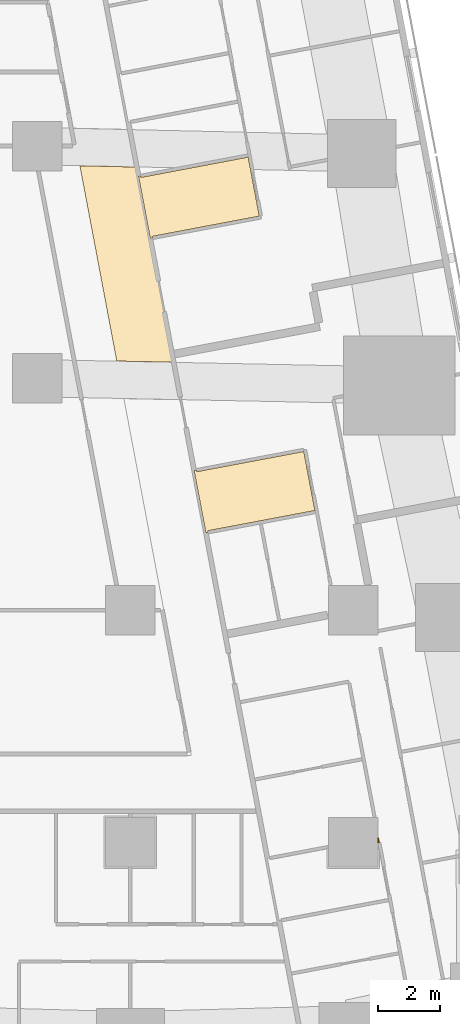
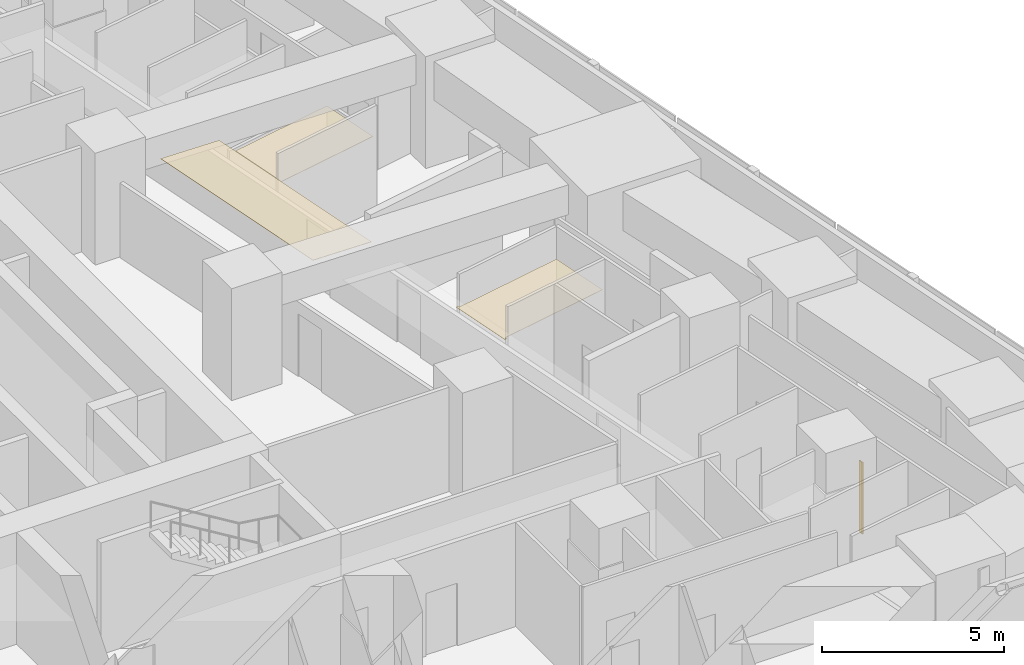
# One storey, part 16 of 17: 4 coverings.
"""IFC4 building model written with IfcOpenShell, lengths in metres."""

from ifc_helpers import new_model, si_unit, direction, frame, origin, place, context, subcontext, project, spatial, polyline, outline, extrude, material, layer, layer_set, type_object, element, save


model = new_model("IFC4")

# Units and contexts
model_context = context("Model", 3, precision=1e-05, world=origin(), true_north=direction((0.0, 1.0)))
body_context = subcontext(model_context, "Body", "Model", "MODEL_VIEW")
ifc_project = project(units=[si_unit("LENGTHUNIT", "METRE"), si_unit("AREAUNIT", "SQUARE_METRE"), si_unit("VOLUMEUNIT", "CUBIC_METRE"), si_unit("PLANEANGLEUNIT", "RADIAN"), si_unit("MASSUNIT", "GRAM", prefix="KILO")], contexts=[model_context])

# Site, building, storey
site_placement = place(None, origin())
site = spatial("IfcSite", under=ifc_project, at=site_placement, CompositionType="ELEMENT")
building_placement = place(site_placement, origin())
building = spatial("IfcBuilding", under=site, at=building_placement, Name="Sheger Commons Tower", CompositionType="ELEMENT")
storey_placement = place(building_placement, frame((0.0, 0.0, 115.39990234375)))
storey = spatial("IfcBuildingStorey", under=building, at=storey_placement, Name="L29", CompositionType="ELEMENT", Elevation=115.39990234375)

# Coverings
ifc_material_1 = material(Name="Moisture-resistant gypsum plasterboard 15 mm on a suspended galvanised steel grid", Category="steel")
ifc_layer_1 = layer(ifc_material_1, 0.014892578125)
ifc_layer_set_1 = layer_set([ifc_layer_1], Name="MOISTURE-RESISTANT CEILING 15")
covering_type_1 = type_object("IfcCoveringType", Name="MOISTURE-RESISTANT CEILING 15", PredefinedType="CEILING", material=ifc_layer_set_1)
covering_1_placement = place(storey_placement, frame((0.0, 0.0, 2.400146484375)))
element("IfcCovering", 1, at=covering_1_placement, inside=storey, type_object=covering_type_1, Name="L29-07.B1 ceiling", PredefinedType="CEILING", context=body_context, shape_type="SweptSolid", body=[
    extrude(outline(polyline([(36.64697265625, 27.014892578125), (36.715087890625, 27.028076171875), (36.705078125, 27.08203125), (40.1689453125, 27.737060546875), (39.80908203125, 29.64306640625), (36.344970703125, 28.988037109375), (36.3349609375, 29.04296875), (36.26611328125, 29.030029296875), (36.64697265625, 27.014892578125)])), origin(), (0.0, 0.0, 1.0), 0.014892578125),
])
covering_2_placement = place(storey_placement, frame((0.0, 0.0, 2.400146484375)))
element("IfcCovering", 2, at=covering_2_placement, inside=storey, type_object=covering_type_1, Name="L29-08.B1 ceiling", PredefinedType="CEILING", context=body_context, shape_type="SweptSolid", body=[
    extrude(outline(polyline([(38.444091796875, 17.5009765625), (38.511962890625, 17.513916015625), (38.501953125, 17.568115234375), (41.966064453125, 18.222900390625), (41.60595703125, 20.12890625), (38.14208984375, 19.47509765625), (38.132080078125, 19.529052734375), (38.06298828125, 19.51611328125), (38.444091796875, 17.5009765625)])), origin(), (0.0, 0.0, 1.0), 0.014892578125),
])
ifc_material_2 = material(Name="Gypsum plasterboard 15 mm on a suspended steel grid", Category="steel")
ifc_layer_2 = layer(ifc_material_2, 0.014892578125)
ifc_layer_set_2 = layer_set([ifc_layer_2], Name="SUSPENDED CEILING 15")
covering_type_2 = type_object("IfcCoveringType", Name="SUSPENDED CEILING 15", PredefinedType="CEILING", material=ifc_layer_set_2)
covering_3_placement = place(storey_placement, frame((0.0, 0.0, 2.7001953125)))
element("IfcCovering", 3, at=covering_3_placement, inside=storey, type_object=covering_type_2, Name="L29-CO ceiling", PredefinedType="CEILING", context=body_context, shape_type="SweptSolid", body=[
    extrude(outline(polyline([(37.402099609375, 23.01611328125), (36.2109375, 29.322021484375), (34.37109375, 29.364013671875), (35.56298828125, 23.052978515625), (37.402099609375, 23.01611328125)])), origin(), (0.0, 0.0, 1.0), 0.014892578125),
])
ifc_material_3 = material(Name="Moisture-resistant gypsum board 12.5 mm on 25 mm treated timber battens, tanked and tiled", Category="wood")
ifc_layer_3 = layer(ifc_material_3, 0.050048828125)
ifc_layer_set_3 = layer_set([ifc_layer_3], Name="WET-ROOM COLUMN LINING")
covering_type_3 = type_object("IfcCoveringType", Name="WET-ROOM COLUMN LINING", PredefinedType="CLADDING", material=ifc_layer_set_3)
covering_4_placement = place(storey_placement, origin())
element("IfcCovering", 4, at=covering_4_placement, inside=storey, type_object=covering_type_3, Name="Bathroom column lining C9 L29", PredefinedType="CLADDING", context=body_context, shape_type="SweptSolid", body=[
    extrude(outline(polyline([(44.0, 7.652099609375), (44.01806640625, 7.655029296875), (44.049072265625, 7.490966796875), (44.0, 7.48193359375), (44.0, 7.652099609375)])), origin(), (0.0, 0.0, 1.0), 2.400146484375),
])

save(model, "model.ifc")
